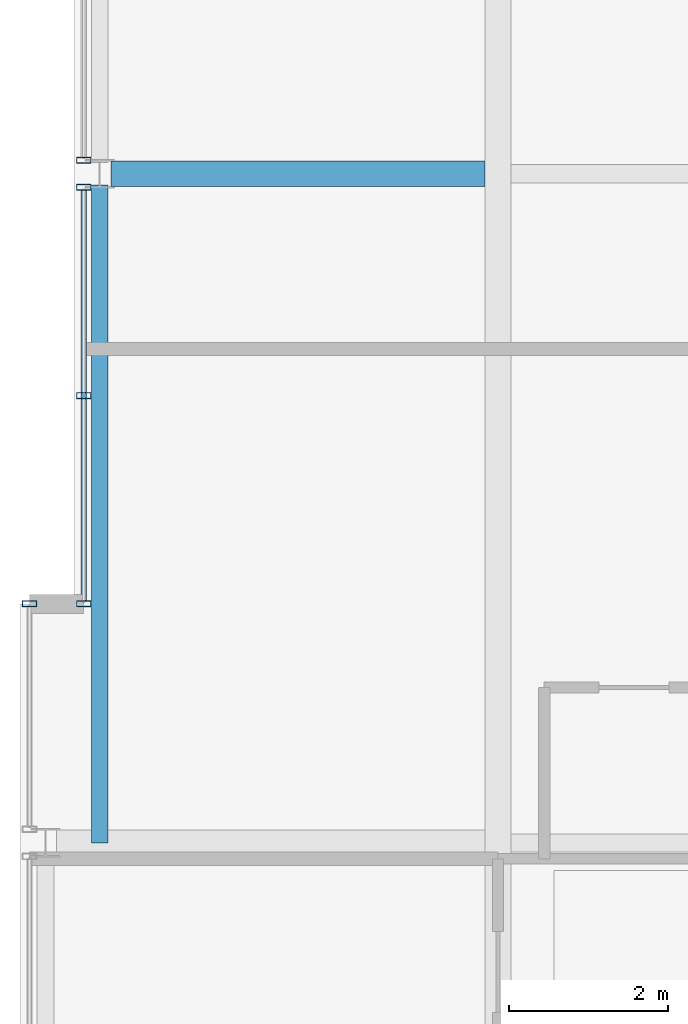
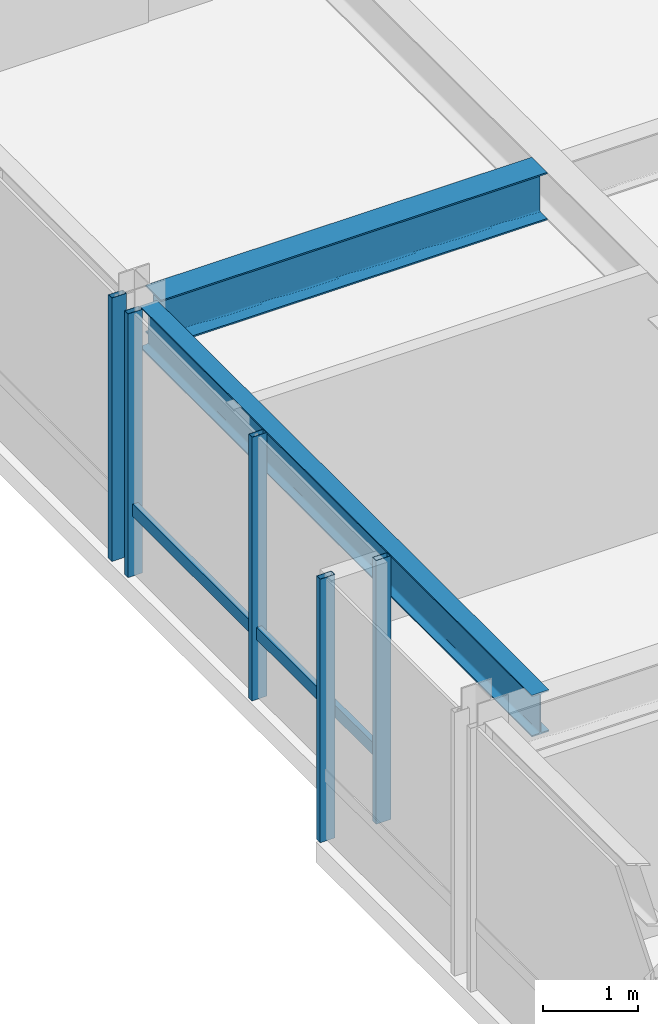
# One storey, part 12 of 34: 6 members, 2 beams, 3 elements without a shape of their own.
"""IFC4 building model written with IfcOpenShell, lengths in metres."""

from ifc_helpers import new_model, si_unit, direction, frame, origin, origin_2d, place, context, subcontext, project, spatial, hollow_rectangle, i_section, extrude, material, layer, layer_set, material_profile, profile_set, type_object, element, aggregate, save


model = new_model("IFC4")

# Units and contexts
model_context = context("Model", 3, precision=1e-05, world=origin(), true_north=direction((0.0, 1.0)))
body_context = subcontext(model_context, "Body", "Model", "MODEL_VIEW")
ifc_project = project(units=[si_unit("LENGTHUNIT", "METRE"), si_unit("AREAUNIT", "SQUARE_METRE"), si_unit("VOLUMEUNIT", "CUBIC_METRE"), si_unit("PLANEANGLEUNIT", "RADIAN"), si_unit("MASSUNIT", "GRAM", prefix="KILO")], contexts=[model_context])

# Site, building, storey
site_placement = place(None, origin())
site = spatial("IfcSite", under=ifc_project, at=site_placement, CompositionType="ELEMENT")
building_placement = place(site_placement, origin())
building = spatial("IfcBuilding", under=site, at=building_placement, Name="Drelvath Grand Hotel", CompositionType="ELEMENT")
storey_placement = place(building_placement, frame((0.0, 0.0, 272.300048828125)))
storey = spatial("IfcBuildingStorey", under=building, at=storey_placement, Name="L71", CompositionType="ELEMENT", Elevation=272.300048828125)

# Curtain wall, member
ifc_material_1 = material(Name="Platinum-Mist Anodised Aluminium Frame", Category="aluminium")
ifc_layer = layer(ifc_material_1, 0.199951171875)
ifc_layer_set = layer_set([ifc_layer], Name="Platinum-Mist Anodised Aluminium Frame")
curtain_wall_type = type_object("IfcCurtainWallType", Name="Stick Curtain Wall CW-05 Platinum Mist High-Rise", PredefinedType="NOTDEFINED", material=ifc_layer_set)
curtain_wall_1_placement = place(storey_placement, origin())
curtain_wall_1 = element("IfcCurtainWall", 1, at=curtain_wall_1_placement, inside=storey, type_object=curtain_wall_type, Name="L71 CW-05 Curtain Wall CW05-L71-WM1", PredefinedType="NOTDEFINED")
ifc_material_profile_1 = material_profile(ifc_material_1, hollow_rectangle(XDim=0.06494140625, YDim=0.159912109375, WallThickness=0.00390625, at=origin_2d()), Name="HSS160X65X4")
ifc_profile_set_1 = profile_set([ifc_material_profile_1], Name="Platinum-Mist Anodised Aluminium Frame")
member_type_1 = type_object("IfcMemberType", Name="Curtain Wall Horizontal Transom CW-05 HSS160X65X4", PredefinedType="USERDEFINED", material=ifc_profile_set_1)
member_1_placement = place(storey_placement, frame((-21.39990234375, 21.639892578125, 0.847412109375), z_axis=(0.0, 1.0, 0.0), x_axis=(-1.0, 0.0, 0.0)))
member_1 = element("IfcMember", 2, at=member_1_placement, type_object=member_type_1, Name="CW05-L71-WM1 Sill Transom", ObjectType="TRANSOM", PredefinedType="USERDEFINED", context=body_context, shape_type="SweptSolid", body=[
    extrude(hollow_rectangle(XDim=0.06494140625, YDim=0.159912109375, WallThickness=0.00390625, at=origin_2d()), origin(), (0.0, 0.0, 1.0), 5.150146484375),
])

curtain_wall_2_placement = place(storey_placement, origin())
curtain_wall_2 = element("IfcCurtainWall", 3, at=curtain_wall_2_placement, inside=storey, type_object=curtain_wall_type, Name="L71 CW-05 Curtain Wall CW05-L71-WS2", PredefinedType="NOTDEFINED")
ifc_material_profile_2 = material_profile(ifc_material_1, hollow_rectangle(XDim=0.074951171875, YDim=0.179931640625, WallThickness=0.0048828125, at=origin_2d()), Name="HSS180X75X5")
ifc_profile_set_2 = profile_set([ifc_material_profile_2], Name="Platinum-Mist Anodised Aluminium Frame")
member_type_2 = type_object("IfcMemberType", Name="Curtain Wall Vertical Mullion CW-05 HSS180X75X5", PredefinedType="MULLION", material=ifc_profile_set_2)
member_2_placement = place(storey_placement, frame((-22.080078125, 21.60009765625, 0.0), z_axis=(0.0, 0.0, 1.0), x_axis=(0.0, 1.0, 0.0)))
member_2 = element("IfcMember", 4, at=member_2_placement, type_object=member_type_2, Name="CW05-L71-WS2 Mullion 2", PredefinedType="MULLION", context=body_context, shape_type="SweptSolid", body=[
    extrude(hollow_rectangle(XDim=0.074951171875, YDim=0.179931640625, WallThickness=0.0048828125, at=origin_2d()), origin(), (0.0, 0.0, 1.0), 3.389892578125),
])
aggregate(curtain_wall_2, [member_2])

# Member
member_3_placement = place(storey_placement, frame((-21.39990234375, 21.60009765625, 0.0), z_axis=(0.0, 0.0, 1.0), x_axis=(0.0, 1.0, 0.0)))
member_3 = element("IfcMember", 5, at=member_3_placement, type_object=member_type_2, Name="CW05-L71-WM1 Mullion 1", PredefinedType="MULLION", context=body_context, shape_type="SweptSolid", body=[
    extrude(hollow_rectangle(XDim=0.074951171875, YDim=0.179931640625, WallThickness=0.0048828125, at=origin_2d()), origin(), (0.0, 0.0, 1.0), 3.389892578125),
])

member_4_placement = place(storey_placement, frame((-21.39990234375, 24.215087890625, 0.0), z_axis=(0.0, 0.0, 1.0), x_axis=(0.0, 1.0, 0.0)))
member_4 = element("IfcMember", 6, at=member_4_placement, type_object=member_type_2, Name="CW05-L71-WM1 Mullion 2", PredefinedType="MULLION", context=body_context, shape_type="SweptSolid", body=[
    extrude(hollow_rectangle(XDim=0.074951171875, YDim=0.179931640625, WallThickness=0.0048828125, at=origin_2d()), origin(), (0.0, 0.0, 1.0), 3.389892578125),
])

member_5_placement = place(storey_placement, frame((-21.39990234375, 26.830078125, 0.0), z_axis=(0.0, 0.0, 1.0), x_axis=(0.0, 1.0, 0.0)))
member_5 = element("IfcMember", 7, at=member_5_placement, type_object=member_type_2, Name="CW05-L71-WM1 Mullion 3", PredefinedType="MULLION", context=body_context, shape_type="SweptSolid", body=[
    extrude(hollow_rectangle(XDim=0.074951171875, YDim=0.179931640625, WallThickness=0.0048828125, at=origin_2d()), origin(), (0.0, 0.0, 1.0), 3.389892578125),
])

aggregate(curtain_wall_1, [member_3, member_4, member_5, member_1])

# Curtain wall, member
curtain_wall_3_placement = place(storey_placement, origin())
curtain_wall_3 = element("IfcCurtainWall", 8, at=curtain_wall_3_placement, inside=storey, type_object=curtain_wall_type, Name="L71 CW-05 Curtain Wall CW05-L71-WM2", PredefinedType="NOTDEFINED")
member_6_placement = place(storey_placement, frame((-21.39990234375, 27.169921875, 0.0), z_axis=(0.0, 0.0, 1.0), x_axis=(0.0, 1.0, 0.0)))
member_6 = element("IfcMember", 9, at=member_6_placement, type_object=member_type_2, Name="CW05-L71-WM2 Mullion 1", PredefinedType="MULLION", context=body_context, shape_type="SweptSolid", body=[
    extrude(hollow_rectangle(XDim=0.074951171875, YDim=0.179931640625, WallThickness=0.0048828125, at=origin_2d()), origin(), (0.0, 0.0, 1.0), 3.389892578125),
])
aggregate(curtain_wall_3, [member_6])

# Beams
ifc_material_2 = material(Name="Steel ASTM A992 Gr 50", Category="steel")
ifc_material_profile_3 = material_profile(ifc_material_2, i_section(OverallWidth=0.210205078125, OverallDepth=0.53662109375, WebThickness=0.010986328125, FlangeThickness=0.017333984375, FilletRadius=0.01806640625, at=origin_2d()), Name="W21X68")
ifc_profile_set_3 = profile_set([ifc_material_profile_3], Name="Steel ASTM A992 Gr 50")
beam_type_1 = type_object("IfcBeamType", Name="Perimeter Spandrel Beam W21X68", PredefinedType="SPANDREL", material=ifc_profile_set_3)
beam_1_placement = place(storey_placement, frame((-21.199951171875, 18.60009765625, 3.12158203125), z_axis=(0.0, 1.0, 0.0), x_axis=(-1.0, 0.0, 0.0)))
element("IfcBeam", 10, at=beam_1_placement, inside=storey, type_object=beam_type_1, Name="L71 Spandrel West Mid S", PredefinedType="SPANDREL", context=body_context, shape_type="SweptSolid", body=[
    extrude(i_section(OverallWidth=0.210205078125, OverallDepth=0.53662109375, WebThickness=0.010986328125, FlangeThickness=0.017333984375, FilletRadius=0.01806640625, at=origin_2d()), origin(), (0.0, 0.0, 1.0), 8.260009765625),
])
ifc_material_profile_4 = material_profile(ifc_material_2, i_section(OverallWidth=0.323974609375, OverallDepth=0.611083984375, WebThickness=0.0126953125, FlangeThickness=0.01904296875, FilletRadius=0.02197265625, at=origin_2d()), Name="W24X104")
ifc_profile_set_4 = profile_set([ifc_material_profile_4], Name="Steel ASTM A992 Gr 50")
beam_type_2 = type_object("IfcBeamType", Name="Primary Floor Girder W24X104", PredefinedType="BEAM", material=ifc_profile_set_4)
beam_2_placement = place(storey_placement, frame((-21.06005859375, 27.0, 3.08447265625), z_axis=(1.0, 0.0, 0.0), x_axis=(0.0, 1.0, 0.0)))
element("IfcBeam", 11, at=beam_2_placement, inside=storey, type_object=beam_type_2, Name="L71 West Wing Girder E", PredefinedType="BEAM", context=body_context, shape_type="SweptSolid", body=[
    extrude(i_section(OverallWidth=0.323974609375, OverallDepth=0.611083984375, WebThickness=0.0126953125, FlangeThickness=0.01904296875, FilletRadius=0.02197265625, at=origin_2d()), origin(), (0.0, 0.0, 1.0), 4.697998046875),
])

save(model, "model.ifc")
